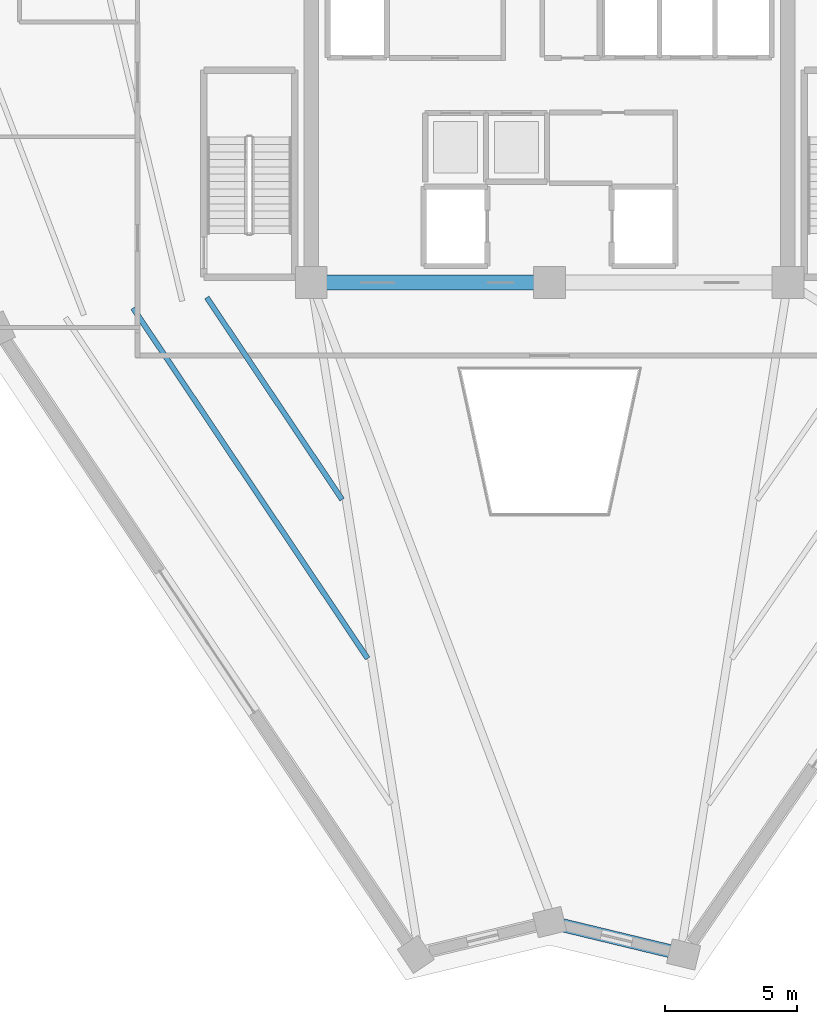
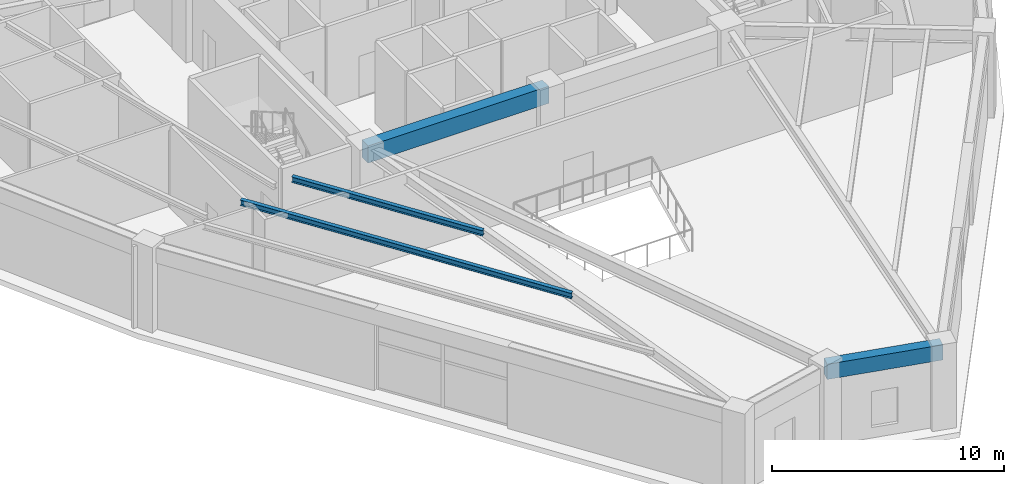
# One storey, part 7 of 35: 4 beams.
"""IFC4 building model written with IfcOpenShell, lengths in metres."""

from ifc_helpers import new_model, si_unit, direction, frame, origin, origin_2d, place, context, subcontext, project, spatial, rectangle, i_section, extrude, source, transform, mapped, material, material_profile, profile_set, type_object, element, save


model = new_model("IFC4")

# Units and contexts
model_context = context("Model", 3, precision=1e-05, world=origin(), true_north=direction((0.0, 1.0)))
body_context = subcontext(model_context, "Body", "Model", "MODEL_VIEW")
ifc_project = project(units=[si_unit("LENGTHUNIT", "METRE"), si_unit("AREAUNIT", "SQUARE_METRE"), si_unit("VOLUMEUNIT", "CUBIC_METRE"), si_unit("PLANEANGLEUNIT", "RADIAN"), si_unit("MASSUNIT", "GRAM", prefix="KILO")], contexts=[model_context])

# Site, building, storey
site_placement = place(None, origin())
site = spatial("IfcSite", under=ifc_project, at=site_placement, CompositionType="ELEMENT")
building_placement = place(site_placement, origin())
building = spatial("IfcBuilding", under=site, at=building_placement, Name="Liaohun Quay Tower", CompositionType="ELEMENT")
storey_placement = place(building_placement, frame((0.0, 0.0, 282.0)))
storey = spatial("IfcBuildingStorey", under=building, at=storey_placement, Name="L73", CompositionType="ELEMENT", Elevation=282.0)

# Beams
ifc_material_1 = material(Name="Concrete C55", Category="concrete")
ifc_material_profile_1 = material_profile(ifc_material_1, rectangle(XDim=0.550048828125, YDim=0.89990234375, at=origin_2d()), Name="RC550x900")
ifc_profile_set_1 = profile_set([ifc_material_profile_1], Name="Concrete C55")
beam_type_1 = type_object("IfcBeamType", Name="BM-CPL-2", PredefinedType="LINTEL", material=ifc_profile_set_1)
shared_shape_1 = source(origin(), body_context, "Body", "SweptSolid", [
    extrude(rectangle(XDim=0.550048828125, YDim=0.89990234375, at=origin_2d()), origin(), (0.0, 0.0, 1.0), 9.0),
])
beam_1_placement = place(storey_placement, frame((51.0, 46.5, 3.8701171875), z_axis=(1.0, 0.0, 0.0), x_axis=(0.0, 1.0, 0.0)))
element("IfcBeam", 1, at=beam_1_placement, inside=storey, type_object=beam_type_1, Name="L73 Core Coupling/Ring Beam CC1-CC2", PredefinedType="LINTEL", context=body_context, shape_type="MappedRepresentation", body=[
    mapped(shared_shape_1, transform((0.0, 0.0, 0.0), x_axis=(1.0, 0.0, 0.0), y_axis=(0.0, 1.0, 0.0), z_axis=(0.0, 0.0, 1.0), scale=1.0)),
])
ifc_material_2 = material(Name="Precast concrete C50", Category="concrete")
ifc_material_profile_2 = material_profile(ifc_material_2, rectangle(XDim=0.5, YDim=0.800048828125, at=origin_2d()), Name="RC500x800")
ifc_profile_set_2 = profile_set([ifc_material_profile_2], Name="Precast concrete C50")
beam_type_2 = type_object("IfcBeamType", Name="BM-SPD-Z4", PredefinedType="SPANDREL", material=ifc_profile_set_2)
shared_shape_2 = source(origin(), body_context, "Body", "SweptSolid", [
    extrude(rectangle(XDim=0.5, YDim=0.800048828125, at=origin_2d()), origin(), (0.0, 0.0, 1.0), 5.20751953125),
])
beam_2_placement = place(storey_placement, frame((65.06201171875, 21.1220703125, 3.919921875), z_axis=(-0.972079627296, 0.23465122671, 0.0), x_axis=(-0.23465122671, -0.972079627296, 0.0)))
element("IfcBeam", 2, at=beam_2_placement, inside=storey, type_object=beam_type_2, Name="L73 Precast Spandrel Beam PC11-PC12", PredefinedType="SPANDREL", context=body_context, shape_type="MappedRepresentation", body=[
    mapped(shared_shape_2, transform((0.0, 0.0, 0.0), x_axis=(1.0, 0.0, 0.0), y_axis=(0.0, 1.0, 0.0), z_axis=(0.0, 0.0, 1.0), scale=1.0)),
])
ifc_material_3 = material(Name="Steel Q355D", Category="steel")
ifc_material_profile_3 = material_profile(ifc_material_3, i_section(OverallWidth=0.199951171875, OverallDepth=0.2939453125, WebThickness=0.008056640625, FlangeThickness=0.011962890625, at=origin_2d()), Name="HM294x200x8x12")
ifc_profile_set_3 = profile_set([ifc_material_profile_3], Name="Steel Q355D")
beam_type_3 = type_object("IfcBeamType", Name="BM-SEC-J4", PredefinedType="JOIST", material=ifc_profile_set_3)
shared_shape_3 = source(origin(), body_context, "Body", "SweptSolid", [
    extrude(i_section(OverallWidth=0.199951171875, OverallDepth=0.2939453125, WebThickness=0.008056640625, FlangeThickness=0.011962890625, at=origin_2d()), origin(), (0.0, 0.0, 1.0), 9.183837890625),
])
beam_3_placement = place(storey_placement, frame((52.1630859375, 38.301025390625, 4.173095703125), z_axis=(-0.556214557636, 0.83103872706, 0.0), x_axis=(-0.83103872706, -0.556214557636, 0.0)))
element("IfcBeam", 3, at=beam_3_placement, inside=storey, type_object=beam_type_3, Name="L73 Wing Secondary Floor Joist SJ-01", PredefinedType="JOIST", context=body_context, shape_type="MappedRepresentation", body=[
    mapped(shared_shape_3, transform((0.0, 0.0, 0.0), x_axis=(1.0, 0.0, 0.0), y_axis=(0.0, 1.0, 0.0), z_axis=(0.0, 0.0, 1.0), scale=1.0)),
])
shared_shape_4 = source(origin(), body_context, "Body", "SweptSolid", [
    extrude(i_section(OverallWidth=0.199951171875, OverallDepth=0.2939453125, WebThickness=0.008056640625, FlangeThickness=0.011962890625, at=origin_2d()), origin(), (0.0, 0.0, 1.0), 15.919189453125),
])
beam_4_placement = place(storey_placement, frame((53.125, 32.302978515625, 4.173095703125), z_axis=(-0.556249384541, 0.831015416342, 0.0), x_axis=(-0.831015416342, -0.556249384541, 0.0)))
element("IfcBeam", 4, at=beam_4_placement, inside=storey, type_object=beam_type_3, Name="L73 Wing Secondary Floor Joist SJ-02", PredefinedType="JOIST", context=body_context, shape_type="MappedRepresentation", body=[
    mapped(shared_shape_4, transform((0.0, 0.0, 0.0), x_axis=(1.0, 0.0, 0.0), y_axis=(0.0, 1.0, 0.0), z_axis=(0.0, 0.0, 1.0), scale=1.0)),
])

save(model, "model.ifc")
